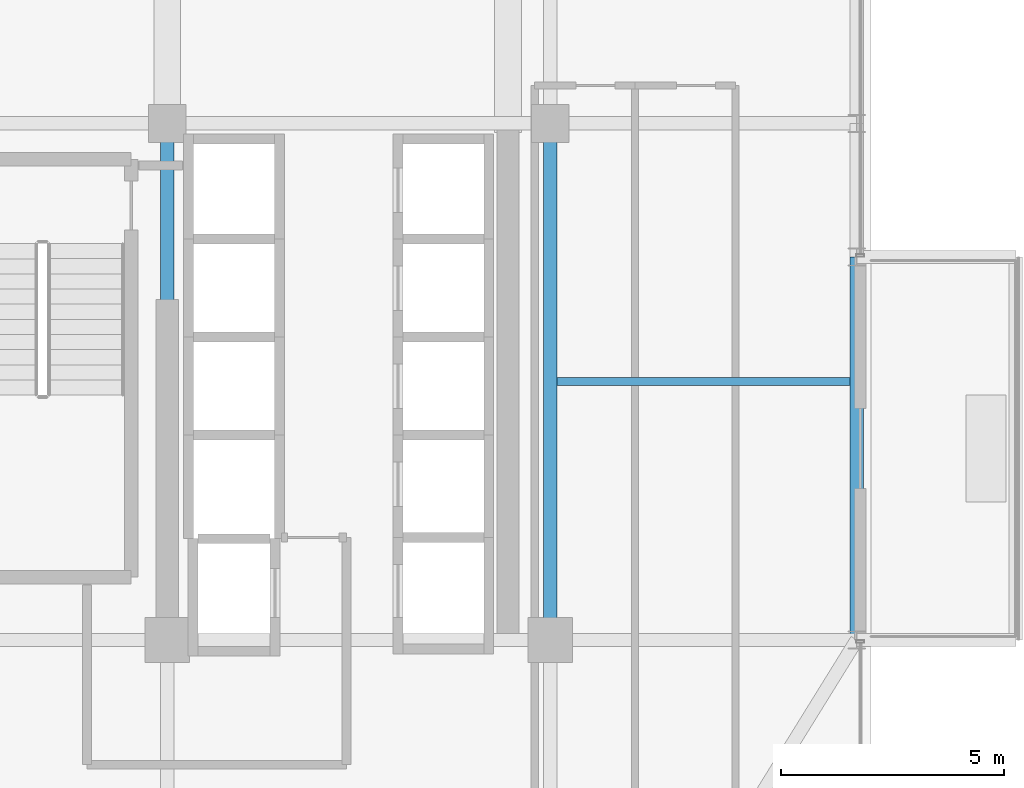
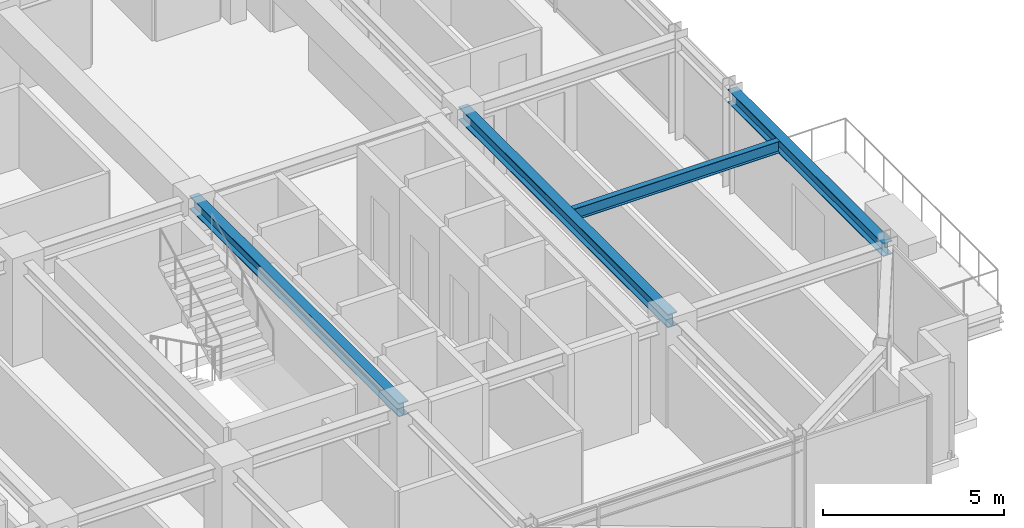
# One storey, part 14 of 43: 4 beams.
"""IFC4 building model written with IfcOpenShell, lengths in metres."""

from ifc_helpers import new_model, si_unit, direction, frame, origin, origin_2d, place, context, subcontext, project, spatial, i_section, extrude, source, transform, mapped, material, material_profile, profile_set, type_object, element, save


model = new_model("IFC4")

# Units and contexts
model_context = context("Model", 3, precision=1e-05, world=origin(), true_north=direction((0.0, 1.0)))
body_context = subcontext(model_context, "Body", "Model", "MODEL_VIEW")
ifc_project = project(units=[si_unit("LENGTHUNIT", "METRE"), si_unit("AREAUNIT", "SQUARE_METRE"), si_unit("VOLUMEUNIT", "CUBIC_METRE"), si_unit("PLANEANGLEUNIT", "RADIAN"), si_unit("MASSUNIT", "GRAM", prefix="KILO")], contexts=[model_context])

# Site, building, storey
site_placement = place(None, origin())
site = spatial("IfcSite", under=ifc_project, at=site_placement, CompositionType="ELEMENT")
building_placement = place(site_placement, origin())
building = spatial("IfcBuilding", under=site, at=building_placement, Name="Nahalor Promenade Grand Hotel", CompositionType="ELEMENT")
storey_placement = place(building_placement, frame((0.0, 0.0, 204.89990234375)))
storey = spatial("IfcBuildingStorey", under=building, at=storey_placement, Name="L52", CompositionType="ELEMENT", Elevation=204.89990234375)

# Beams
ifc_material = material(Name="Steel S355JR", Category="steel")
ifc_material_profile_1 = material_profile(ifc_material, i_section(OverallWidth=0.3, OverallDepth=0.45, WebThickness=0.014, FlangeThickness=0.026, at=origin_2d()), Name="HEB 450")
ifc_profile_set_1 = profile_set([ifc_material_profile_1], Name="Steel S355JR")
beam_type_1 = type_object("IfcBeamType", Name="Beam-Spandrel-HEB450", PredefinedType="SPANDREL", material=ifc_profile_set_1)
shared_shape_1 = source(origin(), body_context, "Body", "SweptSolid", [
    extrude(i_section(OverallWidth=0.3, OverallDepth=0.45, WebThickness=0.014, FlangeThickness=0.026, at=origin_2d()), origin(), (0.0, 0.0, 1.0), 8.60009765625),
])
beam_1_placement = place(storey_placement, frame((23.8798828125, -17.0, 3.18505859375), z_axis=(0.0, 1.0, 0.0), x_axis=(-1.0, 0.0, 0.0)))
element("IfcBeam", 1, at=beam_1_placement, inside=storey, type_object=beam_type_1, Name="BM-L52-SP-E-0", PredefinedType="SPANDREL", context=body_context, shape_type="MappedRepresentation", body=[
    mapped(shared_shape_1, transform((0.0, 0.0, 0.0), scale=1.0)),
])
ifc_material_profile_2 = material_profile(ifc_material, i_section(OverallWidth=0.3, OverallDepth=0.45, WebThickness=0.014, FlangeThickness=0.026, at=origin_2d()), Name="HEB 450")
ifc_profile_set_2 = profile_set([ifc_material_profile_2], Name="Steel S355JR")
beam_type_2 = type_object("IfcBeamType", Name="Beam-Girder-HEB450", PredefinedType="BEAM", material=ifc_profile_set_2)
shared_shape_2 = source(origin(), body_context, "Body", "SweptSolid", [
    extrude(i_section(OverallWidth=0.3, OverallDepth=0.45, WebThickness=0.014, FlangeThickness=0.026, at=origin_2d()), origin(), (0.0, 0.0, 1.0), 11.60009765625),
])
for number, where, z_axis, x_axis, name in (
    (2, (8.39990234375, -17.0, 3.18505859375), (0.0, 1.0, 0.0), (-1.0, 0.0, 0.0), "BM-L52-GY-4-1"),
    (3, (17.0, -17.0, 3.18505859375), (0.0, 1.0, 0.0), (-1.0, 0.0, 0.0), "BM-L52-GY-5-1"),
):
    element("IfcBeam", number, at=place(storey_placement, frame(where, z_axis=z_axis, x_axis=x_axis)), inside=storey, type_object=beam_type_2, Name=name, PredefinedType="BEAM", context=body_context, shape_type="MappedRepresentation", body=[
        mapped(shared_shape_2, transform((0.0, 0.0, 0.0), scale=1.0)),
    ])
ifc_material_profile_3 = material_profile(ifc_material, i_section(OverallWidth=0.18, OverallDepth=0.4, WebThickness=0.0086, FlangeThickness=0.0135, at=origin_2d()), Name="IPE 400")
ifc_profile_set_3 = profile_set([ifc_material_profile_3], Name="Steel S355JR")
beam_type_3 = type_object("IfcBeamType", Name="Beam-Joist-IPE400", PredefinedType="JOIST", material=ifc_profile_set_3)
shared_shape_3 = source(origin(), body_context, "Body", "SweptSolid", [
    extrude(i_section(OverallWidth=0.18, OverallDepth=0.4, WebThickness=0.0086, FlangeThickness=0.0135, at=origin_2d()), origin(), (0.0, 0.0, 1.0), 6.580078125),
])
beam_2_placement = place(storey_placement, frame((17.14990234375, -11.199951171875, 3.210205078125), z_axis=(1.0, 0.0, 0.0), x_axis=(0.0, 1.0, 0.0)))
element("IfcBeam", 4, at=beam_2_placement, inside=storey, type_object=beam_type_3, Name="BM-L52-JSE-0-2", PredefinedType="JOIST", context=body_context, shape_type="MappedRepresentation", body=[
    mapped(shared_shape_3, transform((0.0, 0.0, 0.0), scale=1.0)),
])

save(model, "model.ifc")
